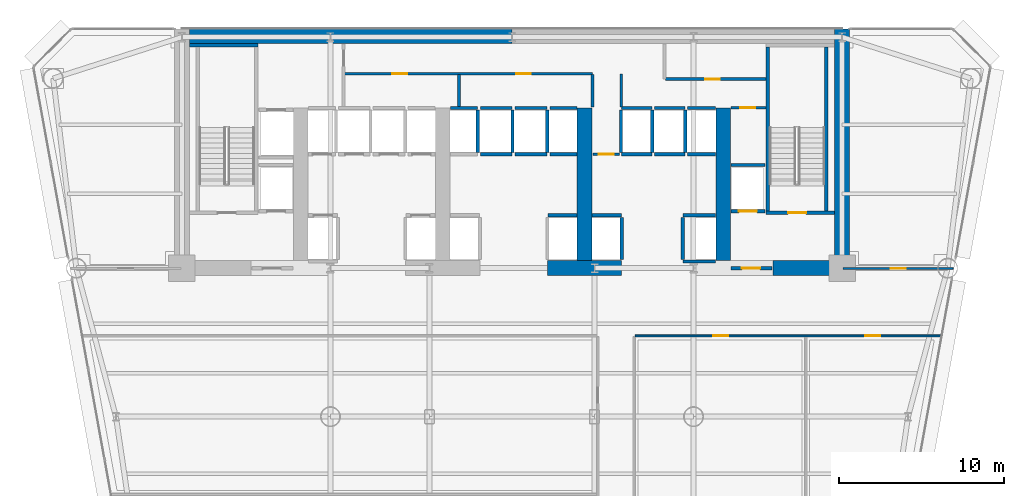
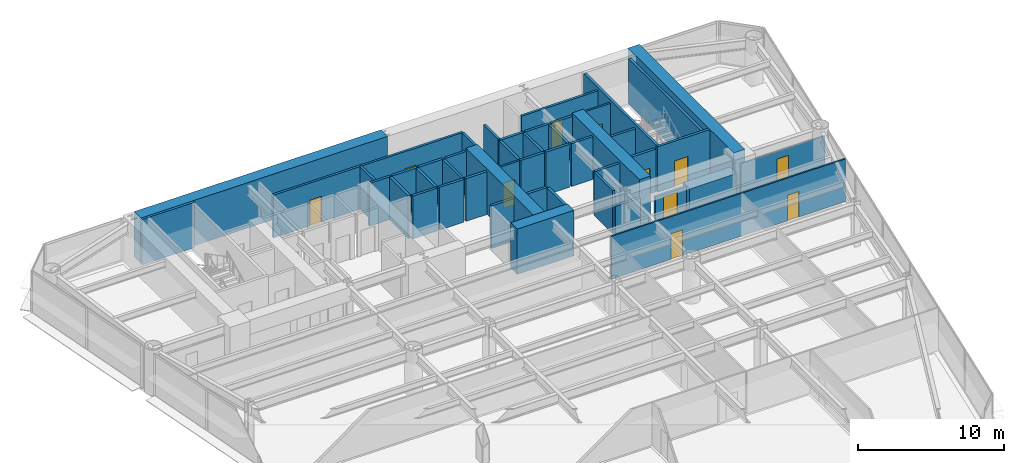
# One storey, part 9 of 14: 47 walls, 11 doors, 11 openings.
"""IFC4 building model written with IfcOpenShell, lengths in metres."""

from ifc_helpers import new_model, si_unit, direction, frame, frame_2d, origin, place, context, subcontext, project, spatial, rectangle, extrude, source, transform, mapped, material, layer, layer_set, type_object, element, fill, save


model = new_model("IFC4")

# Units and contexts
model_context = context("Model", 3, precision=1e-05, world=origin(), true_north=direction((0.0, 1.0)))
body_context = subcontext(model_context, "Body", "Model", "MODEL_VIEW")
ifc_project = project(units=[si_unit("LENGTHUNIT", "METRE"), si_unit("AREAUNIT", "SQUARE_METRE"), si_unit("VOLUMEUNIT", "CUBIC_METRE"), si_unit("PLANEANGLEUNIT", "RADIAN"), si_unit("MASSUNIT", "GRAM", prefix="KILO")], contexts=[model_context])

# Site, building, storey
site_placement = place(None, origin())
site = spatial("IfcSite", under=ifc_project, at=site_placement, CompositionType="ELEMENT")
building_placement = place(site_placement, origin())
building = spatial("IfcBuilding", under=site, at=building_placement, Name="Vaeldorn Concourse Tower", CompositionType="ELEMENT")
storey_placement = place(building_placement, frame((0.0, 0.0, 30.199951171875)))
storey = spatial("IfcBuildingStorey", under=building, at=storey_placement, Name="L07", CompositionType="ELEMENT", Elevation=30.199951171875)

# Walls
ifc_material_1 = material(Name="Concrete C60/75", Category="concrete")
ifc_layer_1 = layer(ifc_material_1, 0.89990234375)
ifc_layer_set_1 = layer_set([ifc_layer_1], Name="Concrete C60/75")
wall_type_1 = type_object("IfcWallType", Name="WL-CORE-900", PredefinedType="SHEAR", material=ifc_layer_set_1)
wall_1_placement = place(storey_placement, frame((14.4541015625, 50.550048828125, 0.0), z_axis=(0.0, 0.0, 1.0), x_axis=(1.0, 0.0, 0.0)))
element("IfcWall", 1, at=wall_1_placement, inside=storey, type_object=wall_type_1, Name="Rear Core Shear Wall L07 N1", PredefinedType="SHEAR", context=body_context, shape_type="SweptSolid", body=[
    extrude(rectangle(XDim=19.5439453125, YDim=0.89990234375, at=frame_2d((9.77197265625, 0.0))), origin(), (0.0, 0.0, 1.0), 3.800048828125),
])
wall_2_placement = place(storey_placement, frame((54.0, 36.5, 0.0), z_axis=(0.0, 0.0, 1.0), x_axis=(0.0, 1.0, 0.0)))
element("IfcWall", 2, at=wall_2_placement, inside=storey, type_object=wall_type_1, Name="Rear Core Shear Wall L07 E1", PredefinedType="SHEAR", context=body_context, shape_type="SweptSolid", body=[
    extrude(rectangle(XDim=14.5, YDim=0.89990234375, at=frame_2d((7.25, 0.0))), origin(), (0.0, 0.0, 1.0), 3.800048828125),
])
wall_3_placement = place(storey_placement, frame((36.14990234375, 36.5, 0.0), z_axis=(0.0, 0.0, 1.0), x_axis=(1.0, 0.0, 0.0)))
element("IfcWall", 3, at=wall_3_placement, inside=storey, type_object=wall_type_1, Name="Rear Core Shear Wall L07 S3", PredefinedType="SHEAR", context=body_context, shape_type="SweptSolid", body=[
    extrude(rectangle(XDim=4.5, YDim=0.89990234375, at=frame_2d((2.25, 0.0))), origin(), (0.0, 0.0, 1.0), 3.800048828125),
])
wall_4_placement = place(storey_placement, frame((49.800048828125, 36.5, 0.0), z_axis=(0.0, 0.0, 1.0), x_axis=(1.0, 0.0, 0.0)))
element("IfcWall", 4, at=wall_4_placement, inside=storey, type_object=wall_type_1, Name="Rear Core Shear Wall L07 S4", PredefinedType="SHEAR", context=body_context, shape_type="SweptSolid", body=[
    extrude(rectangle(XDim=3.72998046875, YDim=0.89990234375, at=frame_2d((1.864990234375, 0.0))), origin(), (0.0, 0.0, 1.0), 2.380126953125),
])
for number, where, z_axis, x_axis, name in (
    (5, (38.39990234375, 36.969970703125, 0.0), (0.0, 0.0, 1.0), (0.0, 1.0, 0.0), "Rear Core Shear Wall L07 M3"),
    (6, (46.800048828125, 36.969970703125, 0.0), (0.0, 0.0, 1.0), (0.0, 1.0, 0.0), "Rear Core Shear Wall L07 M4"),
):
    element("IfcWall", number, at=place(storey_placement, frame(where, z_axis=z_axis, x_axis=x_axis)), inside=storey, type_object=wall_type_1, Name=name, PredefinedType="SHEAR", context=body_context, shape_type="SweptSolid", body=[
        extrude(rectangle(XDim=9.22998046875, YDim=0.89990234375, at=frame_2d((4.614990234375, 0.0))), origin(), (0.0, 0.0, 1.0), 3.800048828125),
    ])

# Wall, openings, doors
ifc_material_2 = material(Name="Gypsum Board Partition", Category="gypsum")
ifc_layer_2 = layer(ifc_material_2, 0.1201171875)
ifc_layer_set_2 = layer_set([ifc_layer_2], Name="Gypsum Board Partition")
wall_type_2 = type_object("IfcWallType", Name="WL-PART-120", PredefinedType="PARTITIONING", material=ifc_layer_set_2)
wall_5_placement = place(storey_placement, frame((41.4599609375, 32.39990234375, 0.0), z_axis=(0.0, 0.0, 1.0), x_axis=(1.0, 0.0, 0.0)))
wall_5 = element("IfcWall", 7, at=wall_5_placement, inside=storey, type_object=wall_type_2, Name="Interior Wall PW-L07-C2SE", PredefinedType="PARTITIONING", context=body_context, shape_type="SweptSolid", body=[
    extrude(rectangle(XDim=18.539794921875, YDim=0.1201171875, at=frame_2d((9.27001953125, 0.0))), origin(), (0.0, 0.0, 1.0), 3.580078125),
])
opening_1_placement = place(wall_5_placement, frame((4.739990234375, 0.0, 0.0)))
opening_1 = element("IfcOpeningElement", 8, at=opening_1_placement, cuts=wall_5, Name="Opening D-03", PredefinedType="OPENING", context=body_context, shape_type="SweptSolid", body=[
    extrude(rectangle(XDim=0.89990234375, YDim=2.14990234375, at=frame_2d((0.449951171875, 1.074951171875))), frame((0.0, 0.070068359375, 0.0), z_axis=(0.0, -1.0, 0.0), x_axis=(1.0, 0.0, 0.0)), (0.0, 0.0, 1.0), 0.14013671875),
])
opening_2_placement = place(wall_5_placement, frame((13.93994140625, 0.0, 0.0)))
opening_2 = element("IfcOpeningElement", 9, at=opening_2_placement, cuts=wall_5, Name="Opening D-03", PredefinedType="OPENING", context=body_context, shape_type="SweptSolid", body=[
    extrude(rectangle(XDim=0.89990234375, YDim=2.14990234375, at=frame_2d((0.449951171875, 1.074951171875))), frame((0.0, 0.070068359375, 0.0), z_axis=(0.0, -1.0, 0.0), x_axis=(1.0, 0.0, 0.0)), (0.0, 0.0, 1.0), 0.14013671875),
])
ifc_material_3 = material(Name="Acoustic Bronze-Framed Glass Door", Category="glass")
door_type_1 = type_object("IfcDoorType", Name="DR-INT-900", OperationType="NOTDEFINED", PredefinedType="DOOR", material=ifc_material_3)
shared_shape_1 = source(origin(), body_context, "Body", "SweptSolid", [
    extrude(rectangle(XDim=0.89990234375, YDim=2.14990234375, at=frame_2d((0.449951171875, 1.074951171875))), frame((0.0, 0.02490234375, 0.0), z_axis=(0.0, -1.0, 0.0), x_axis=(1.0, 0.0, 0.0)), (0.0, 0.0, 1.0), 0.050048828125),
])
door_1_placement = place(opening_1_placement, origin())
door_1 = element("IfcDoor", 10, at=door_1_placement, inside=storey, type_object=door_type_1, Name="Interior Door DR-L07-Z2E1", OperationType="SINGLE_SWING_RIGHT", OverallHeight=2.14990234375, OverallWidth=0.89990234375, PredefinedType="DOOR", context=body_context, shape_type="MappedRepresentation", body=[
    mapped(shared_shape_1, transform((0.0, 0.0, 0.0), scale=1.0)),
])
fill(opening_1, door_1)
door_2_placement = place(opening_2_placement, origin())
door_2 = element("IfcDoor", 11, at=door_2_placement, inside=storey, type_object=door_type_1, Name="Interior Door DR-L07-Z2E2", OperationType="SINGLE_SWING_LEFT", OverallHeight=2.14990234375, OverallWidth=0.89990234375, PredefinedType="DOOR", context=body_context, shape_type="MappedRepresentation", body=[
    mapped(shared_shape_1, transform((0.0, 0.0, 0.0), scale=1.0)),
])
fill(opening_2, door_2)

# Wall, opening, door
wall_6_placement = place(storey_placement, frame((54.06005859375, 36.47998046875, 0.0), z_axis=(0.0, 0.0, 1.0), x_axis=(1.0, 0.0, 0.0)))
wall_6 = element("IfcWall", 12, at=wall_6_placement, inside=storey, type_object=wall_type_2, Name="Interior Wall PW-L07-NES", PredefinedType="PARTITIONING", context=body_context, shape_type="SweptSolid", body=[
    extrude(rectangle(XDim=6.675048828125, YDim=0.1201171875, at=frame_2d((3.33740234375, 0.0))), origin(), (0.0, 0.0, 1.0), 2.77001953125),
])
opening_3_placement = place(wall_6_placement, frame((2.887939453125, 0.0, 0.0)))
opening_3 = element("IfcOpeningElement", 13, at=opening_3_placement, cuts=wall_6, Name="Opening D-03", PredefinedType="OPENING", context=body_context, shape_type="SweptSolid", body=[
    extrude(rectangle(XDim=0.89990234375, YDim=2.14990234375, at=frame_2d((0.449951171875, 1.074951171875))), frame((0.0, 0.070068359375, 0.0), z_axis=(0.0, -1.0, 0.0), x_axis=(1.0, 0.0, 0.0)), (0.0, 0.0, 1.0), 0.14013671875),
])
door_3_placement = place(opening_3_placement, origin())
door_3 = element("IfcDoor", 14, at=door_3_placement, inside=storey, type_object=door_type_1, Name="Interior Door DR-L07-NEC", OperationType="SINGLE_SWING_RIGHT", OverallHeight=2.14990234375, OverallWidth=0.89990234375, PredefinedType="DOOR", context=body_context, shape_type="MappedRepresentation", body=[
    mapped(shared_shape_1, transform((0.0, 0.0, 0.0), scale=1.0)),
])
fill(opening_3, door_3)

ifc_layer_3 = layer(ifc_material_2, 0.14990234375)
ifc_layer_set_3 = layer_set([ifc_layer_3], Name="Gypsum Board Partition")
wall_type_3 = type_object("IfcWallType", Name="WL-PART-150", PredefinedType="PARTITIONING", material=ifc_layer_set_3)
wall_7_placement = place(storey_placement, frame((47.280029296875, 46.219970703125, 0.0), z_axis=(0.0, 0.0, 1.0), x_axis=(1.0, 0.0, 0.0)))
wall_7 = element("IfcWall", 15, at=wall_7_placement, inside=storey, type_object=wall_type_3, Name="Interior Wall CW-L07-CRSE-N", PredefinedType="PARTITIONING", context=body_context, shape_type="SweptSolid", body=[
    extrude(rectangle(XDim=2.099853515625, YDim=0.14990234375, at=frame_2d((1.0498046875, 0.0))), origin(), (0.0, 0.0, 1.0), 3.580078125),
])
opening_4_placement = place(wall_7_placement, frame((0.550048828125, 0.0, 0.0)))
opening_4 = element("IfcOpeningElement", 16, at=opening_4_placement, cuts=wall_7, Name="Opening D-02", PredefinedType="OPENING", context=body_context, shape_type="SweptSolid", body=[
    extrude(rectangle(XDim=0.89990234375, YDim=2.10009765625, at=frame_2d((0.449951171875, 1.050048828125))), frame((0.0, 0.0849609375, 0.0), z_axis=(0.0, -1.0, 0.0), x_axis=(1.0, 0.0, 0.0)), (0.0, 0.0, 1.0), 0.169921875),
])
ifc_material_4 = material(Name="Fire-Rated Timber Leaf", Category="wood")
door_type_2 = type_object("IfcDoorType", Name="DR-FD30-900", OperationType="NOTDEFINED", PredefinedType="DOOR", material=ifc_material_4)
shared_shape_2 = source(origin(), body_context, "Body", "SweptSolid", [
    extrude(rectangle(XDim=0.89990234375, YDim=2.10009765625, at=frame_2d((0.449951171875, 1.050048828125))), frame((0.0, 0.02490234375, 0.0), z_axis=(0.0, -1.0, 0.0), x_axis=(1.0, 0.0, 0.0)), (0.0, 0.0, 1.0), 0.050048828125),
])
door_4_placement = place(opening_4_placement, origin())
door_4 = element("IfcDoor", 17, at=door_4_placement, inside=storey, type_object=door_type_2, Name="Interior Door DR-L07-CRSE", OperationType="SINGLE_SWING_RIGHT", OverallHeight=2.10009765625, OverallWidth=0.89990234375, PredefinedType="DOOR", context=body_context, shape_type="MappedRepresentation", body=[
    mapped(shared_shape_2, transform((0.0, 0.0, 0.0), scale=1.0)),
])
fill(opening_4, door_4)

wall_8_placement = place(storey_placement, frame((38.919921875, 43.39990234375, 0.0), z_axis=(0.0, 0.0, 1.0), x_axis=(1.0, 0.0, 0.0)))
wall_8 = element("IfcWall", 18, at=wall_8_placement, inside=storey, type_object=wall_type_3, Name="Interior Wall CW-L07-CCLINK", PredefinedType="PARTITIONING", context=body_context, shape_type="SweptSolid", body=[
    extrude(rectangle(XDim=1.60009765625, YDim=0.14990234375, at=frame_2d((0.800048828125, 0.0))), origin(), (0.0, 0.0, 1.0), 3.580078125),
])
opening_5_placement = place(wall_8_placement, frame((0.35009765625, 0.0, 0.0)))
opening_5 = element("IfcOpeningElement", 19, at=opening_5_placement, cuts=wall_8, Name="Opening D-02", PredefinedType="OPENING", context=body_context, shape_type="SweptSolid", body=[
    extrude(rectangle(XDim=0.89990234375, YDim=2.10009765625, at=frame_2d((0.449951171875, 1.050048828125))), frame((0.0, 0.0849609375, 0.0), z_axis=(0.0, -1.0, 0.0), x_axis=(1.0, 0.0, 0.0)), (0.0, 0.0, 1.0), 0.169921875),
])
door_5_placement = place(opening_5_placement, origin())
door_5 = element("IfcDoor", 20, at=door_5_placement, inside=storey, type_object=door_type_2, Name="Interior Door DR-L07-CCLINK", OperationType="SINGLE_SWING_LEFT", OverallHeight=2.10009765625, OverallWidth=0.89990234375, PredefinedType="DOOR", context=body_context, shape_type="MappedRepresentation", body=[
    mapped(shared_shape_2, transform((0.0, 0.0, 0.0), scale=1.0)),
])
fill(opening_5, door_5)

# Wall, openings, doors
ifc_layer_4 = layer(ifc_material_2, 0.179931640625)
ifc_layer_set_4 = layer_set([ifc_layer_4], Name="Gypsum Board Partition")
wall_type_4 = type_object("IfcWallType", Name="WL-PLUMB-180", PredefinedType="PLUMBINGWALL", material=ifc_layer_set_4)
wall_9_placement = place(storey_placement, frame((23.85009765625, 48.280029296875, 0.0), z_axis=(0.0, 0.0, 1.0), x_axis=(1.0, 0.0, 0.0)))
wall_9 = element("IfcWall", 21, at=wall_9_placement, inside=storey, type_object=wall_type_4, Name="Interior Wall CW-L07-NS2W", PredefinedType="PLUMBINGWALL", context=body_context, shape_type="SweptSolid", body=[
    extrude(rectangle(XDim=15.02978515625, YDim=0.179931640625, at=frame_2d((7.514892578125, 0.0))), origin(), (0.0, 0.0, 1.0), 3.580078125),
])
opening_6_placement = place(wall_9_placement, frame((2.89990234375, 0.0, 0.0)))
opening_6 = element("IfcOpeningElement", 22, at=opening_6_placement, cuts=wall_9, Name="Opening D-03", PredefinedType="OPENING", context=body_context, shape_type="SweptSolid", body=[
    extrude(rectangle(XDim=0.89990234375, YDim=2.14990234375, at=frame_2d((0.449951171875, 1.074951171875))), frame((0.0, 0.10009765625, 0.0), z_axis=(0.0, -1.0, 0.0), x_axis=(1.0, 0.0, 0.0)), (0.0, 0.0, 1.0), 0.199951171875),
])
opening_7_placement = place(wall_9_placement, frame((10.39990234375, 0.0, 0.0)))
opening_7 = element("IfcOpeningElement", 23, at=opening_7_placement, cuts=wall_9, Name="Opening D-03", PredefinedType="OPENING", context=body_context, shape_type="SweptSolid", body=[
    extrude(rectangle(XDim=0.89990234375, YDim=2.14990234375, at=frame_2d((0.449951171875, 1.074951171875))), frame((0.0, 0.10009765625, 0.0), z_axis=(0.0, -1.0, 0.0), x_axis=(1.0, 0.0, 0.0)), (0.0, 0.0, 1.0), 0.199951171875),
])
door_6_placement = place(opening_6_placement, origin())
door_6 = element("IfcDoor", 24, at=door_6_placement, inside=storey, type_object=door_type_1, Name="Interior Door DR-L07-CS2", OperationType="SINGLE_SWING_RIGHT", OverallHeight=2.14990234375, OverallWidth=0.89990234375, PredefinedType="DOOR", context=body_context, shape_type="MappedRepresentation", body=[
    mapped(shared_shape_1, transform((0.0, 0.0, 0.0), scale=1.0)),
])
fill(opening_6, door_6)
door_7_placement = place(opening_7_placement, origin())
door_7 = element("IfcDoor", 25, at=door_7_placement, inside=storey, type_object=door_type_1, Name="Interior Door DR-L07-CS3", OperationType="SINGLE_SWING_LEFT", OverallHeight=2.14990234375, OverallWidth=0.89990234375, PredefinedType="DOOR", context=body_context, shape_type="MappedRepresentation", body=[
    mapped(shared_shape_1, transform((0.0, 0.0, 0.0), scale=1.0)),
])
fill(opening_7, door_7)

# Walls
for number, where, z_axis, x_axis, name in (
    (26, (30.800048828125, 46.280029296875, 0.0), (0.0, 0.0, 1.0), (0.0, 1.0, 0.0), "Interior Wall CW-L07-SDIV2"),
    (27, (38.8798828125, 46.280029296875, 0.0), (0.0, 0.0, 1.0), (0.0, 1.0, 0.0), "Interior Wall CW-L07-SDIV4"),
):
    element("IfcWall", number, at=place(storey_placement, frame(where, z_axis=z_axis, x_axis=x_axis)), inside=storey, type_object=wall_type_4, Name=name, PredefinedType="PLUMBINGWALL", context=body_context, shape_type="SweptSolid", body=[
        extrude(rectangle(XDim=1.93994140625, YDim=0.179931640625, at=frame_2d((0.969970703125, 0.0))), origin(), (0.0, 0.0, 1.0), 3.580078125),
    ])
wall_10_placement = place(storey_placement, frame((40.6201171875, 46.280029296875, 0.0), z_axis=(0.0, 0.0, 1.0), x_axis=(0.0, 1.0, 0.0)))
element("IfcWall", 28, at=wall_10_placement, inside=storey, type_object=wall_type_4, Name="Interior Wall CW-L07-SDIV5", PredefinedType="PLUMBINGWALL", context=body_context, shape_type="SweptSolid", body=[
    extrude(rectangle(XDim=2.0, YDim=0.179931640625, at=frame_2d((1.0, 0.0))), origin(), (0.0, 0.0, 1.0), 3.580078125),
])

# Wall, opening, door
wall_11_placement = place(storey_placement, frame((43.300048828125, 47.949951171875, 0.0), z_axis=(0.0, 0.0, 1.0), x_axis=(1.0, 0.0, 0.0)))
wall_11 = element("IfcWall", 29, at=wall_11_placement, inside=storey, type_object=wall_type_4, Name="Interior Wall CW-L07-NS2EE", PredefinedType="PLUMBINGWALL", context=body_context, shape_type="SweptSolid", body=[
    extrude(rectangle(XDim=6.079833984375, YDim=0.179931640625, at=frame_2d((3.0400390625, 0.0))), origin(), (0.0, 0.0, 1.0), 3.580078125),
])
opening_8_placement = place(wall_11_placement, frame((2.39990234375, 0.0, 0.0)))
opening_8 = element("IfcOpeningElement", 30, at=opening_8_placement, cuts=wall_11, Name="Opening D-03", PredefinedType="OPENING", context=body_context, shape_type="SweptSolid", body=[
    extrude(rectangle(XDim=0.89990234375, YDim=2.14990234375, at=frame_2d((0.449951171875, 1.074951171875))), frame((0.0, 0.10009765625, 0.0), z_axis=(0.0, -1.0, 0.0), x_axis=(1.0, 0.0, 0.0)), (0.0, 0.0, 1.0), 0.199951171875),
])
door_8_placement = place(opening_8_placement, origin())
door_8 = element("IfcDoor", 31, at=door_8_placement, inside=storey, type_object=door_type_1, Name="Interior Door DR-L07-CS5", OperationType="SINGLE_SWING_RIGHT", OverallHeight=2.14990234375, OverallWidth=0.89990234375, PredefinedType="DOOR", context=body_context, shape_type="MappedRepresentation", body=[
    mapped(shared_shape_1, transform((0.0, 0.0, 0.0), scale=1.0)),
])
fill(opening_8, door_8)

# Wall
ifc_material_5 = material(Name="Concrete C50/60", Category="concrete")
ifc_layer_5 = layer(ifc_material_5, 0.199951171875)
ifc_layer_set_5 = layer_set([ifc_layer_5], Name="Concrete C50/60")
wall_type_5 = type_object("IfcWallType", Name="WL-SHAFT-200", PredefinedType="SOLIDWALL", material=ifc_layer_set_5)
wall_12_placement = place(storey_placement, frame((14.449951171875, 50.0, 0.0), z_axis=(0.0, 0.0, 1.0), x_axis=(1.0, 0.0, 0.0)))
element("IfcWall", 32, at=wall_12_placement, inside=storey, type_object=wall_type_5, Name="Stair Shaft Wall CW-L07-ST-1-N", PredefinedType="SOLIDWALL", context=body_context, shape_type="SweptSolid", body=[
    extrude(rectangle(XDim=4.150146484375, YDim=0.199951171875, at=frame_2d((2.0751953125, 0.0))), origin(), (0.0, 0.0, 1.0), 3.800048828125),
])

# Wall, opening, door
wall_13_placement = place(storey_placement, frame((49.39990234375, 39.85009765625, 0.0), z_axis=(0.0, 0.0, 1.0), x_axis=(1.0, 0.0, 0.0)))
wall_13 = element("IfcWall", 33, at=wall_13_placement, inside=storey, type_object=wall_type_5, Name="Stair Shaft Wall CW-L07-ST-2-S", PredefinedType="SOLIDWALL", context=body_context, shape_type="SweptSolid", body=[
    extrude(rectangle(XDim=4.150146484375, YDim=0.199951171875, at=frame_2d((2.0751953125, 0.0))), origin(), (0.0, 0.0, 1.0), 3.800048828125),
])
opening_9_placement = place(wall_13_placement, frame((1.324951171875, 0.0, 0.0)))
opening_9 = element("IfcOpeningElement", 34, at=opening_9_placement, cuts=wall_13, Name="Opening D-01", PredefinedType="OPENING", context=body_context, shape_type="SweptSolid", body=[
    extrude(rectangle(XDim=1.10009765625, YDim=2.14990234375, at=frame_2d((0.550048828125, 1.074951171875))), frame((0.0, 0.10986328125, 0.0), z_axis=(0.0, -1.0, 0.0), x_axis=(1.0, 0.0, 0.0)), (0.0, 0.0, 1.0), 0.219970703125),
])
ifc_material_6 = material(Name="Fire-Rated Timber and Steel Leaf", Category="steel")
door_type_3 = type_object("IfcDoorType", Name="DR-FD60-1100", OperationType="NOTDEFINED", PredefinedType="DOOR", material=ifc_material_6)
shared_shape_3 = source(origin(), body_context, "Body", "SweptSolid", [
    extrude(rectangle(XDim=1.10009765625, YDim=2.14990234375, at=frame_2d((0.550048828125, 1.074951171875))), frame((0.0, 0.02490234375, 0.0), z_axis=(0.0, -1.0, 0.0), x_axis=(1.0, 0.0, 0.0)), (0.0, 0.0, 1.0), 0.050048828125),
])
door_9_placement = place(opening_9_placement, origin())
door_9 = element("IfcDoor", 35, at=door_9_placement, inside=storey, type_object=door_type_3, Name="Interior Door DR-L07-ST-2", OperationType="SINGLE_SWING_RIGHT", OverallHeight=2.14990234375, OverallWidth=1.10009765625, PredefinedType="DOOR", context=body_context, shape_type="MappedRepresentation", body=[
    mapped(shared_shape_3, transform((0.0, 0.0, 0.0), scale=1.0)),
])
fill(opening_9, door_9)

# Walls
for number, where, z_axis, x_axis, name in (
    (36, (49.5, 39.9599609375, 0.0), (0.0, 0.0, 1.0), (0.0, 1.0, 0.0), "Stair Shaft Wall CW-L07-ST-2-W"),
    (37, (53.050048828125, 39.9599609375, 0.0), (0.0, 0.0, 1.0), (0.0, 1.0, 0.0), "Stair Shaft Wall CW-L07-ST-2-E"),
):
    element("IfcWall", number, at=place(storey_placement, frame(where, z_axis=z_axis, x_axis=x_axis)), inside=storey, type_object=wall_type_5, Name=name, PredefinedType="SOLIDWALL", context=body_context, shape_type="SweptSolid", body=[
        extrude(rectangle(XDim=9.929931640625, YDim=0.199951171875, at=frame_2d((4.96484375, 0.0))), origin(), (0.0, 0.0, 1.0), 3.800048828125),
    ])

# Wall, opening, door
wall_14_placement = place(storey_placement, frame((47.280029296875, 36.5, 0.0), z_axis=(0.0, 0.0, 1.0), x_axis=(1.0, 0.0, 0.0)))
wall_14 = element("IfcWall", 38, at=wall_14_placement, inside=storey, type_object=wall_type_5, Name="Interior Wall CW-L07-FF2S", PredefinedType="SOLIDWALL", context=body_context, shape_type="SweptSolid", body=[
    extrude(rectangle(XDim=2.469970703125, YDim=0.199951171875, at=frame_2d((1.23486328125, 0.0))), origin(), (0.0, 0.0, 1.0), 2.3701171875),
])
opening_10_placement = place(wall_14_placement, frame((0.64990234375, 0.0, 0.0)))
opening_10 = element("IfcOpeningElement", 39, at=opening_10_placement, cuts=wall_14, Name="Opening D-01", PredefinedType="OPENING", context=body_context, shape_type="SweptSolid", body=[
    extrude(rectangle(XDim=1.10009765625, YDim=2.14990234375, at=frame_2d((0.550048828125, 1.074951171875))), frame((0.0, 0.10986328125, 0.0), z_axis=(0.0, -1.0, 0.0), x_axis=(1.0, 0.0, 0.0)), (0.0, 0.0, 1.0), 0.219970703125),
])
door_10_placement = place(opening_10_placement, origin())
door_10 = element("IfcDoor", 40, at=door_10_placement, inside=storey, type_object=door_type_3, Name="Interior Door DR-L07-FF2W", OperationType="SINGLE_SWING_LEFT", OverallHeight=2.14990234375, OverallWidth=1.10009765625, PredefinedType="DOOR", context=body_context, shape_type="MappedRepresentation", body=[
    mapped(shared_shape_3, transform((0.0, 0.0, 0.0), scale=1.0)),
])
fill(opening_10, door_10)

# Walls
wall_15_placement = place(storey_placement, frame((36.169921875, 39.699951171875, 0.0), z_axis=(0.0, 0.0, 1.0), x_axis=(1.0, 0.0, 0.0)))
element("IfcWall", 41, at=wall_15_placement, inside=storey, type_object=wall_type_5, Name="Interior Wall CW-L07-LF-LF-08", PredefinedType="SOLIDWALL", context=body_context, shape_type="SweptSolid", body=[
    extrude(rectangle(XDim=1.77001953125, YDim=0.199951171875, at=frame_2d((0.885009765625, 0.0))), origin(), (0.0, 0.0, 1.0), 3.580078125),
])
wall_16_placement = place(storey_placement, frame((30.260009765625, 46.199951171875, 0.0), z_axis=(0.0, 0.0, 1.0), x_axis=(1.0, 0.0, 0.0)))
element("IfcWall", 42, at=wall_16_placement, inside=storey, type_object=wall_type_5, Name="Interior Wall CW-L07-LFB-LF-09", PredefinedType="SOLIDWALL", context=body_context, shape_type="SweptSolid", body=[
    extrude(rectangle(XDim=1.64990234375, YDim=0.199951171875, at=frame_2d((0.824951171875, 0.0))), origin(), (0.0, 0.0, 1.0), 3.580078125),
])
wall_17_placement = place(storey_placement, frame((31.929931640625, 43.52001953125, 0.0), z_axis=(0.0, 0.0, 1.0), x_axis=(0.0, 1.0, 0.0)))
element("IfcWall", 43, at=wall_17_placement, inside=storey, type_object=wall_type_5, Name="Interior Wall CW-L07-LFE-LF-09", PredefinedType="SOLIDWALL", context=body_context, shape_type="SweptSolid", body=[
    extrude(rectangle(XDim=2.56005859375, YDim=0.199951171875, at=frame_2d((1.280029296875, 0.0))), origin(), (0.0, 0.0, 1.0), 3.580078125),
])
for number, where, z_axis, x_axis, name in (
    (44, (32.090087890625, 43.39990234375, 0.0), (0.0, 0.0, 1.0), (1.0, 0.0, 0.0), "Interior Wall CW-L07-LF-LF-10"),
    (45, (32.090087890625, 46.199951171875, 0.0), (0.0, 0.0, 1.0), (1.0, 0.0, 0.0), "Interior Wall CW-L07-LFB-LF-10"),
):
    element("IfcWall", number, at=place(storey_placement, frame(where, z_axis=z_axis, x_axis=x_axis)), inside=storey, type_object=wall_type_5, Name=name, PredefinedType="SOLIDWALL", context=body_context, shape_type="SweptSolid", body=[
        extrude(rectangle(XDim=1.919921875, YDim=0.199951171875, at=frame_2d((0.9599609375, 0.0))), origin(), (0.0, 0.0, 1.0), 3.580078125),
    ])
wall_18_placement = place(storey_placement, frame((34.030029296875, 43.52001953125, 0.0), z_axis=(0.0, 0.0, 1.0), x_axis=(0.0, 1.0, 0.0)))
element("IfcWall", 46, at=wall_18_placement, inside=storey, type_object=wall_type_5, Name="Interior Wall CW-L07-LFE-LF-10", PredefinedType="SOLIDWALL", context=body_context, shape_type="SweptSolid", body=[
    extrude(rectangle(XDim=2.56005859375, YDim=0.199951171875, at=frame_2d((1.280029296875, 0.0))), origin(), (0.0, 0.0, 1.0), 3.580078125),
])
for number, where, z_axis, x_axis, name in (
    (47, (34.18994140625, 43.39990234375, 0.0), (0.0, 0.0, 1.0), (1.0, 0.0, 0.0), "Interior Wall CW-L07-LF-LF-11"),
    (48, (34.18994140625, 46.199951171875, 0.0), (0.0, 0.0, 1.0), (1.0, 0.0, 0.0), "Interior Wall CW-L07-LFB-LF-11"),
):
    element("IfcWall", number, at=place(storey_placement, frame(where, z_axis=z_axis, x_axis=x_axis)), inside=storey, type_object=wall_type_5, Name=name, PredefinedType="SOLIDWALL", context=body_context, shape_type="SweptSolid", body=[
        extrude(rectangle(XDim=1.920166015625, YDim=0.199951171875, at=frame_2d((0.9599609375, 0.0))), origin(), (0.0, 0.0, 1.0), 3.580078125),
    ])
wall_19_placement = place(storey_placement, frame((36.1298828125, 43.52001953125, 0.0), z_axis=(0.0, 0.0, 1.0), x_axis=(0.0, 1.0, 0.0)))
element("IfcWall", 49, at=wall_19_placement, inside=storey, type_object=wall_type_5, Name="Interior Wall CW-L07-LFE-LF-11", PredefinedType="SOLIDWALL", context=body_context, shape_type="SweptSolid", body=[
    extrude(rectangle(XDim=2.56005859375, YDim=0.199951171875, at=frame_2d((1.280029296875, 0.0))), origin(), (0.0, 0.0, 1.0), 3.580078125),
])
for number, where, z_axis, x_axis, name in (
    (50, (36.2900390625, 43.39990234375, 0.0), (0.0, 0.0, 1.0), (1.0, 0.0, 0.0), "Interior Wall CW-L07-LF-LF-12"),
    (51, (36.2900390625, 46.199951171875, 0.0), (0.0, 0.0, 1.0), (1.0, 0.0, 0.0), "Interior Wall CW-L07-LFB-LF-12"),
):
    element("IfcWall", number, at=place(storey_placement, frame(where, z_axis=z_axis, x_axis=x_axis)), inside=storey, type_object=wall_type_5, Name=name, PredefinedType="SOLIDWALL", context=body_context, shape_type="SweptSolid", body=[
        extrude(rectangle(XDim=1.64990234375, YDim=0.199951171875, at=frame_2d((0.824951171875, 0.0))), origin(), (0.0, 0.0, 1.0), 3.580078125),
    ])
wall_20_placement = place(storey_placement, frame((38.860107421875, 39.699951171875, 0.0), z_axis=(0.0, 0.0, 1.0), x_axis=(1.0, 0.0, 0.0)))
element("IfcWall", 52, at=wall_20_placement, inside=storey, type_object=wall_type_5, Name="Interior Wall CW-L07-LF-LF-13", PredefinedType="SOLIDWALL", context=body_context, shape_type="SweptSolid", body=[
    extrude(rectangle(XDim=1.769775390625, YDim=0.199951171875, at=frame_2d((0.884765625, 0.0))), origin(), (0.0, 0.0, 1.0), 3.580078125),
])
wall_21_placement = place(storey_placement, frame((40.64990234375, 37.02001953125, 0.0), z_axis=(0.0, 0.0, 1.0), x_axis=(0.0, 1.0, 0.0)))
element("IfcWall", 53, at=wall_21_placement, inside=storey, type_object=wall_type_5, Name="Interior Wall CW-L07-LFE-LF-13", PredefinedType="SOLIDWALL", context=body_context, shape_type="SweptSolid", body=[
    extrude(rectangle(XDim=2.56005859375, YDim=0.199951171875, at=frame_2d((1.280029296875, 0.0))), origin(), (0.0, 0.0, 1.0), 3.580078125),
])
wall_22_placement = place(storey_placement, frame((44.3701171875, 39.699951171875, 0.0), z_axis=(0.0, 0.0, 1.0), x_axis=(1.0, 0.0, 0.0)))
element("IfcWall", 54, at=wall_22_placement, inside=storey, type_object=wall_type_5, Name="Interior Wall CW-L07-LF-LF-14", PredefinedType="SOLIDWALL", context=body_context, shape_type="SweptSolid", body=[
    extrude(rectangle(XDim=1.9599609375, YDim=0.199951171875, at=frame_2d((0.97998046875, 0.0))), origin(), (0.0, 0.0, 1.0), 3.580078125),
])
wall_23_placement = place(storey_placement, frame((44.3701171875, 36.89990234375, 0.0), z_axis=(0.0, 0.0, 1.0), x_axis=(1.0, 0.0, 0.0)))
element("IfcWall", 55, at=wall_23_placement, inside=storey, type_object=wall_type_5, Name="Interior Wall CW-L07-LFB-LF-14", PredefinedType="SOLIDWALL", context=body_context, shape_type="SweptSolid", body=[
    extrude(rectangle(XDim=1.9599609375, YDim=0.199951171875, at=frame_2d((0.97998046875, 0.0))), origin(), (0.0, 0.0, 1.0), 2.3701171875),
])
wall_24_placement = place(storey_placement, frame((44.35009765625, 37.02001953125, 0.0), z_axis=(0.0, 0.0, 1.0), x_axis=(0.0, 1.0, 0.0)))
element("IfcWall", 56, at=wall_24_placement, inside=storey, type_object=wall_type_5, Name="Interior Wall CW-L07-LFW-LF-14", PredefinedType="SOLIDWALL", context=body_context, shape_type="SweptSolid", body=[
    extrude(rectangle(XDim=2.56005859375, YDim=0.199951171875, at=frame_2d((1.280029296875, 0.0))), origin(), (0.0, 0.0, 1.0), 3.580078125),
])
for number, where, z_axis, x_axis, name in (
    (57, (40.6201171875, 43.39990234375, 0.0), (0.0, 0.0, 1.0), (1.0, 0.0, 0.0), "Interior Wall CW-L07-LF-LF-15"),
    (58, (40.6201171875, 46.199951171875, 0.0), (0.0, 0.0, 1.0), (1.0, 0.0, 0.0), "Interior Wall CW-L07-LFB-LF-15"),
):
    element("IfcWall", number, at=place(storey_placement, frame(where, z_axis=z_axis, x_axis=x_axis)), inside=storey, type_object=wall_type_5, Name=name, PredefinedType="SOLIDWALL", context=body_context, shape_type="SweptSolid", body=[
        extrude(rectangle(XDim=1.85986328125, YDim=0.199951171875, at=frame_2d((0.929931640625, 0.0))), origin(), (0.0, 0.0, 1.0), 3.580078125),
    ])
for number, where, z_axis, x_axis, name in (
    (59, (40.60009765625, 43.52001953125, 0.0), (0.0, 0.0, 1.0), (0.0, 1.0, 0.0), "Interior Wall CW-L07-LFW-LF-15"),
    (60, (42.5, 43.52001953125, 0.0), (0.0, 0.0, 1.0), (0.0, 1.0, 0.0), "Interior Wall CW-L07-LFE-LF-15"),
):
    element("IfcWall", number, at=place(storey_placement, frame(where, z_axis=z_axis, x_axis=x_axis)), inside=storey, type_object=wall_type_5, Name=name, PredefinedType="SOLIDWALL", context=body_context, shape_type="SweptSolid", body=[
        extrude(rectangle(XDim=2.56005859375, YDim=0.199951171875, at=frame_2d((1.280029296875, 0.0))), origin(), (0.0, 0.0, 1.0), 3.580078125),
    ])
for number, where, z_axis, x_axis, name in (
    (61, (42.6201171875, 43.39990234375, 0.0), (0.0, 0.0, 1.0), (1.0, 0.0, 0.0), "Interior Wall CW-L07-LF-LF-16"),
    (62, (42.6201171875, 46.199951171875, 0.0), (0.0, 0.0, 1.0), (1.0, 0.0, 0.0), "Interior Wall CW-L07-LFB-LF-16"),
):
    element("IfcWall", number, at=place(storey_placement, frame(where, z_axis=z_axis, x_axis=x_axis)), inside=storey, type_object=wall_type_5, Name=name, PredefinedType="SOLIDWALL", context=body_context, shape_type="SweptSolid", body=[
        extrude(rectangle(XDim=1.85986328125, YDim=0.199951171875, at=frame_2d((0.929931640625, 0.0))), origin(), (0.0, 0.0, 1.0), 3.580078125),
    ])
wall_25_placement = place(storey_placement, frame((44.5, 43.52001953125, 0.0), z_axis=(0.0, 0.0, 1.0), x_axis=(0.0, 1.0, 0.0)))
element("IfcWall", 63, at=wall_25_placement, inside=storey, type_object=wall_type_5, Name="Interior Wall CW-L07-LFE-LF-16", PredefinedType="SOLIDWALL", context=body_context, shape_type="SweptSolid", body=[
    extrude(rectangle(XDim=2.56005859375, YDim=0.199951171875, at=frame_2d((1.280029296875, 0.0))), origin(), (0.0, 0.0, 1.0), 3.580078125),
])
for number, where, z_axis, x_axis, name in (
    (64, (44.6201171875, 43.39990234375, 0.0), (0.0, 0.0, 1.0), (1.0, 0.0, 0.0), "Interior Wall CW-L07-LF-LF-17"),
    (65, (44.6201171875, 46.199951171875, 0.0), (0.0, 0.0, 1.0), (1.0, 0.0, 0.0), "Interior Wall CW-L07-LFB-LF-17"),
):
    element("IfcWall", number, at=place(storey_placement, frame(where, z_axis=z_axis, x_axis=x_axis)), inside=storey, type_object=wall_type_5, Name=name, PredefinedType="SOLIDWALL", context=body_context, shape_type="SweptSolid", body=[
        extrude(rectangle(XDim=1.719970703125, YDim=0.199951171875, at=frame_2d((0.85986328125, 0.0))), origin(), (0.0, 0.0, 1.0), 3.580078125),
    ])

# Wall, opening, door
wall_26_placement = place(storey_placement, frame((47.260009765625, 39.949951171875, 0.0), z_axis=(0.0, 0.0, 1.0), x_axis=(1.0, 0.0, 0.0)))
wall_26 = element("IfcWall", 66, at=wall_26_placement, inside=storey, type_object=wall_type_5, Name="Interior Wall CW-L07-LF-LF-FF2", PredefinedType="SOLIDWALL", context=body_context, shape_type="SweptSolid", body=[
    extrude(rectangle(XDim=2.070068359375, YDim=0.199951171875, at=frame_2d((1.03515625, 0.0))), origin(), (0.0, 0.0, 1.0), 3.580078125),
])
opening_11_placement = place(wall_26_placement, frame((0.485107421875, 0.0, 0.0)))
opening_11 = element("IfcOpeningElement", 67, at=opening_11_placement, cuts=wall_26, Name="Opening LD-1", PredefinedType="OPENING", context=body_context, shape_type="SweptSolid", body=[
    extrude(rectangle(XDim=1.10009765625, YDim=2.14990234375, at=frame_2d((0.550048828125, 1.074951171875))), frame((0.0, 0.10986328125, 0.0), z_axis=(0.0, -1.0, 0.0), x_axis=(1.0, 0.0, 0.0)), (0.0, 0.0, 1.0), 0.219970703125),
])
ifc_material_7 = material(Name="Anodised Bronze Aluminium", Category="aluminium")
door_type_4 = type_object("IfcDoorType", Name="DR-LIFT-SLIDE-1100", OperationType="DOUBLE_DOOR_SLIDING", PredefinedType="DOOR", material=ifc_material_7)
door_11_placement = place(opening_11_placement, origin())
door_11 = element("IfcDoor", 68, at=door_11_placement, inside=storey, type_object=door_type_4, Name="Lift Landing Door LD-L07-LF-FF2", OperationType="DOUBLE_DOOR_SLIDING", OverallHeight=2.14990234375, OverallWidth=1.10009765625, PredefinedType="DOOR", context=body_context, shape_type="MappedRepresentation", body=[
    mapped(shared_shape_3, transform((0.0, 0.0, 0.0), scale=1.0)),
])
fill(opening_11, door_11)

# Wall
wall_27_placement = place(storey_placement, frame((47.260009765625, 42.75, 0.0), z_axis=(0.0, 0.0, 1.0), x_axis=(1.0, 0.0, 0.0)))
element("IfcWall", 69, at=wall_27_placement, inside=storey, type_object=wall_type_5, Name="Interior Wall CW-L07-LFB-LF-FF2", PredefinedType="SOLIDWALL", context=body_context, shape_type="SweptSolid", body=[
    extrude(rectangle(XDim=2.070068359375, YDim=0.199951171875, at=frame_2d((1.03515625, 0.0))), origin(), (0.0, 0.0, 1.0), 3.580078125),
])

save(model, "model.ifc")
